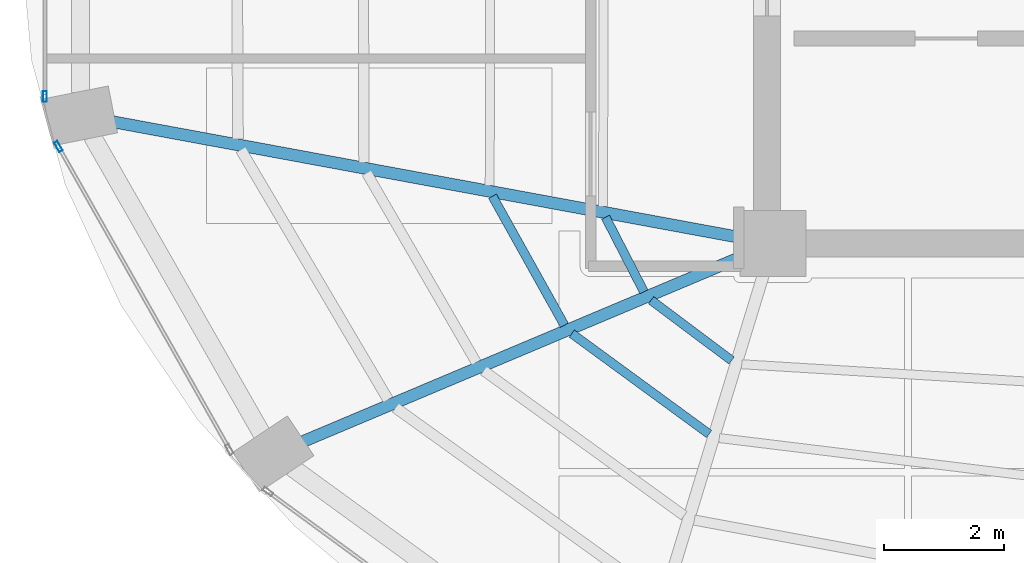
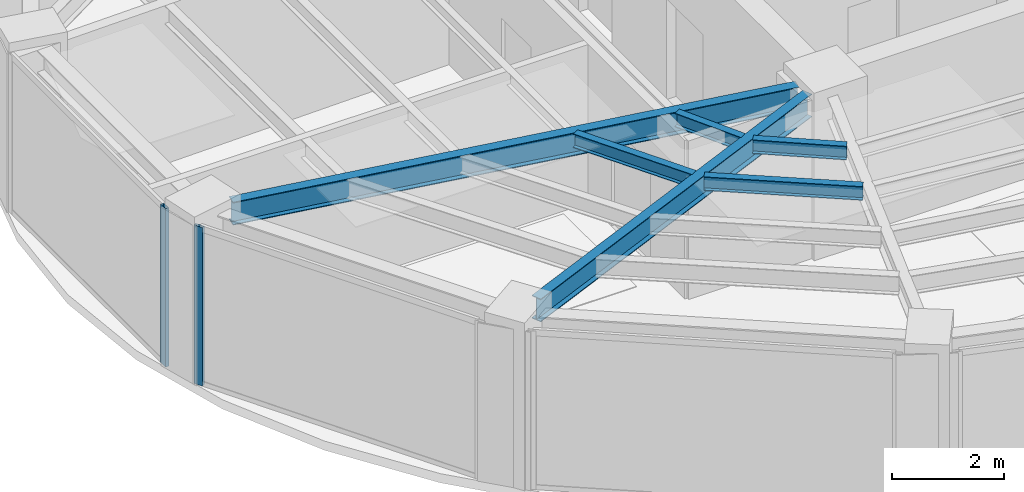
# One storey, part 4 of 23: 6 beams, 2 members, 2 elements without a shape of their own.
"""IFC4 building model written with IfcOpenShell, lengths in metres."""

from ifc_helpers import new_model, si_unit, direction, frame, origin, origin_2d, place, context, subcontext, project, spatial, hollow_rectangle, i_section, extrude, material, layer, layer_set, material_profile, profile_set, type_object, element, aggregate, save


model = new_model("IFC4")

# Units and contexts
model_context = context("Model", 3, precision=1e-05, world=origin(), true_north=direction((0.0, 1.0)))
body_context = subcontext(model_context, "Body", "Model", "MODEL_VIEW")
ifc_project = project(units=[si_unit("LENGTHUNIT", "METRE"), si_unit("AREAUNIT", "SQUARE_METRE"), si_unit("VOLUMEUNIT", "CUBIC_METRE"), si_unit("PLANEANGLEUNIT", "RADIAN"), si_unit("MASSUNIT", "GRAM", prefix="KILO")], contexts=[model_context])

# Site, building, storey
site_placement = place(None, origin())
site = spatial("IfcSite", under=ifc_project, at=site_placement, CompositionType="ELEMENT")
building_placement = place(site_placement, origin())
building = spatial("IfcBuilding", under=site, at=building_placement, Name="Lazwardi Medical Tower", CompositionType="ELEMENT")
storey_placement = place(building_placement, frame((0.0, 0.0, 234.9599609375)))
storey = spatial("IfcBuildingStorey", under=building, at=storey_placement, Name="L61", CompositionType="ELEMENT", Elevation=234.9599609375)

# Beams
ifc_material_1 = material(Name="Steel S355", Category="steel")
ifc_material_profile_1 = material_profile(ifc_material_1, i_section(OverallWidth=0.199951171875, OverallDepth=0.5, WebThickness=0.01025390625, FlangeThickness=0.01611328125, at=origin_2d()), Name="IPE 500")
ifc_profile_set_1 = profile_set([ifc_material_profile_1], Name="Steel S355")
beam_type_1 = type_object("IfcBeamType", Name="BM-RG-W3", PredefinedType="BEAM", material=ifc_profile_set_1)
beam_1_placement = place(storey_placement, frame((15.341064453125, 22.43994140625, 3.197998046875), z_axis=(0.983409341459, -0.181400295288, 0.0), x_axis=(0.181400295288, 0.983409341459, 0.0)))
element("IfcBeam", 1, at=beam_1_placement, inside=storey, type_object=beam_type_1, Name="Radial girder RG-04 R13 L61", PredefinedType="BEAM", context=body_context, shape_type="SweptSolid", body=[
    extrude(i_section(OverallWidth=0.199951171875, OverallDepth=0.5, WebThickness=0.01025390625, FlangeThickness=0.01611328125, at=origin_2d()), origin(), (0.0, 0.0, 1.0), 10.71044921875),
])
beam_2_placement = place(storey_placement, frame((18.533203125, 17.085205078125, 3.197998046875), z_axis=(0.921526791352, 0.388314785735, 0.0), x_axis=(-0.388314785735, 0.921526791352, 0.0)))
element("IfcBeam", 2, at=beam_2_placement, inside=storey, type_object=beam_type_1, Name="Radial girder RG-04 R14 L61", PredefinedType="BEAM", context=body_context, shape_type="SweptSolid", body=[
    extrude(i_section(OverallWidth=0.199951171875, OverallDepth=0.5, WebThickness=0.01025390625, FlangeThickness=0.01611328125, at=origin_2d()), origin(), (0.0, 0.0, 1.0), 8.001708984375),
])
ifc_material_profile_2 = material_profile(ifc_material_1, i_section(OverallWidth=0.14990234375, OverallDepth=0.300048828125, WebThickness=0.007080078125, FlangeThickness=0.0107421875, at=origin_2d()), Name="IPE 300")
ifc_profile_set_2 = profile_set([ifc_material_profile_2], Name="Steel S355")
beam_type_2 = type_object("IfcBeamType", Name="BM-SJ-03", PredefinedType="JOIST", material=ifc_profile_set_2)
beam_3_placement = place(storey_placement, frame((21.70703125, 21.19140625, 3.298095703125), z_axis=(0.487092942089, -0.873350139272, 0.0), x_axis=(0.873350139272, 0.487092942089, 0.0)))
element("IfcBeam", 3, at=beam_3_placement, inside=storey, type_object=beam_type_2, Name="Secondary joist SJ-03 R3 B13 L61", PredefinedType="JOIST", context=body_context, shape_type="SweptSolid", body=[
    extrude(i_section(OverallWidth=0.14990234375, OverallDepth=0.300048828125, WebThickness=0.007080078125, FlangeThickness=0.0107421875, at=origin_2d()), origin(), (0.0, 0.0, 1.0), 2.471923828125),
])
beam_4_placement = place(storey_placement, frame((23.0341796875, 18.893310546875, 3.298095703125), z_axis=(0.80703431267, -0.59050454543, 0.0), x_axis=(0.59050454543, 0.80703431267, 0.0)))
element("IfcBeam", 4, at=beam_4_placement, inside=storey, type_object=beam_type_2, Name="Secondary joist SJ-03 R3 B14 L61", PredefinedType="JOIST", context=body_context, shape_type="SweptSolid", body=[
    extrude(i_section(OverallWidth=0.14990234375, OverallDepth=0.300048828125, WebThickness=0.007080078125, FlangeThickness=0.0107421875, at=origin_2d()), origin(), (0.0, 0.0, 1.0), 2.846923828125),
])
beam_5_placement = place(storey_placement, frame((23.60009765625, 20.840087890625, 3.298095703125), z_axis=(0.457285056668, -0.889320176848, 0.0), x_axis=(0.889320176848, 0.457285056668, 0.0)))
element("IfcBeam", 5, at=beam_5_placement, inside=storey, type_object=beam_type_2, Name="Secondary joist SJ-03 R4 B13 L61", PredefinedType="JOIST", context=body_context, shape_type="SweptSolid", body=[
    extrude(i_section(OverallWidth=0.14990234375, OverallDepth=0.300048828125, WebThickness=0.007080078125, FlangeThickness=0.0107421875, at=origin_2d()), origin(), (0.0, 0.0, 1.0), 1.402099609375),
])
beam_6_placement = place(storey_placement, frame((24.36083984375, 19.451904296875, 3.298095703125), z_axis=(0.800365301971, -0.599512621553, 0.0), x_axis=(0.599512621553, 0.800365301971, 0.0)))
element("IfcBeam", 6, at=beam_6_placement, inside=storey, type_object=beam_type_2, Name="Secondary joist SJ-03 R4 B14 L61", PredefinedType="JOIST", context=body_context, shape_type="SweptSolid", body=[
    extrude(i_section(OverallWidth=0.14990234375, OverallDepth=0.300048828125, WebThickness=0.007080078125, FlangeThickness=0.0107421875, at=origin_2d()), origin(), (0.0, 0.0, 1.0), 1.68359375),
])

# Curtain wall, member
ifc_material_2 = material(Name="Anodised bronze aluminium and solar control glazing", Category="aluminium")
ifc_layer = layer(ifc_material_2, 0.18994140625)
ifc_layer_set = layer_set([ifc_layer], Name="Anodised bronze aluminium and solar control glazing")
curtain_wall_type = type_object("IfcCurtainWallType", Name="CW-SYS-04", PredefinedType="NOTDEFINED", material=ifc_layer_set)
curtain_wall_1_placement = place(storey_placement, origin())
curtain_wall_1 = element("IfcCurtainWall", 7, at=curtain_wall_1_placement, inside=storey, type_object=curtain_wall_type, Name="L61 Unitised bronze curtain wall CW-04", PredefinedType="NOTDEFINED")
ifc_material_3 = material(Name="Anodised bronze aluminium", Category="aluminium")
ifc_material_profile_3 = material_profile(ifc_material_3, hollow_rectangle(XDim=0.06494140625, YDim=0.179931640625, WallThickness=0.00390625, at=origin_2d()), Name="ALU-MULLION 180x65x4")
ifc_profile_set_3 = profile_set([ifc_material_profile_3], Name="Anodised bronze aluminium")
member_type = type_object("IfcMemberType", Name="CW-MUL-03", PredefinedType="MULLION", material=ifc_profile_set_3)
member_1_placement = place(storey_placement, frame((14.2158203125, 22.859619140625, 0.0), z_axis=(0.0, 0.0, 1.0), x_axis=(1.0, 0.0, 0.0)))
member_1 = element("IfcMember", 8, at=member_1_placement, type_object=member_type, Name="CW-04 mullion 2", PredefinedType="MULLION", context=body_context, shape_type="SweptSolid", body=[
    extrude(hollow_rectangle(XDim=0.06494140625, YDim=0.179931640625, WallThickness=0.00390625, at=origin_2d()), origin(), (0.0, 0.0, 1.0), 3.447998046875),
])
aggregate(curtain_wall_1, [member_1])

curtain_wall_2_placement = place(storey_placement, origin())
curtain_wall_2 = element("IfcCurtainWall", 9, at=curtain_wall_2_placement, inside=storey, type_object=curtain_wall_type, Name="L61 Unitised bronze curtain wall CW-04", PredefinedType="NOTDEFINED")
member_2_placement = place(storey_placement, frame((14.442626953125, 22.021728515625, 0.0), z_axis=(0.0, 0.0, 1.0), x_axis=(0.870651436011, 0.491900474661, 0.0)))
member_2 = element("IfcMember", 10, at=member_2_placement, type_object=member_type, Name="CW-04 mullion 1", PredefinedType="MULLION", context=body_context, shape_type="SweptSolid", body=[
    extrude(hollow_rectangle(XDim=0.06494140625, YDim=0.179931640625, WallThickness=0.00390625, at=origin_2d()), origin(), (0.0, 0.0, 1.0), 3.447998046875),
])
aggregate(curtain_wall_2, [member_2])

save(model, "model.ifc")
